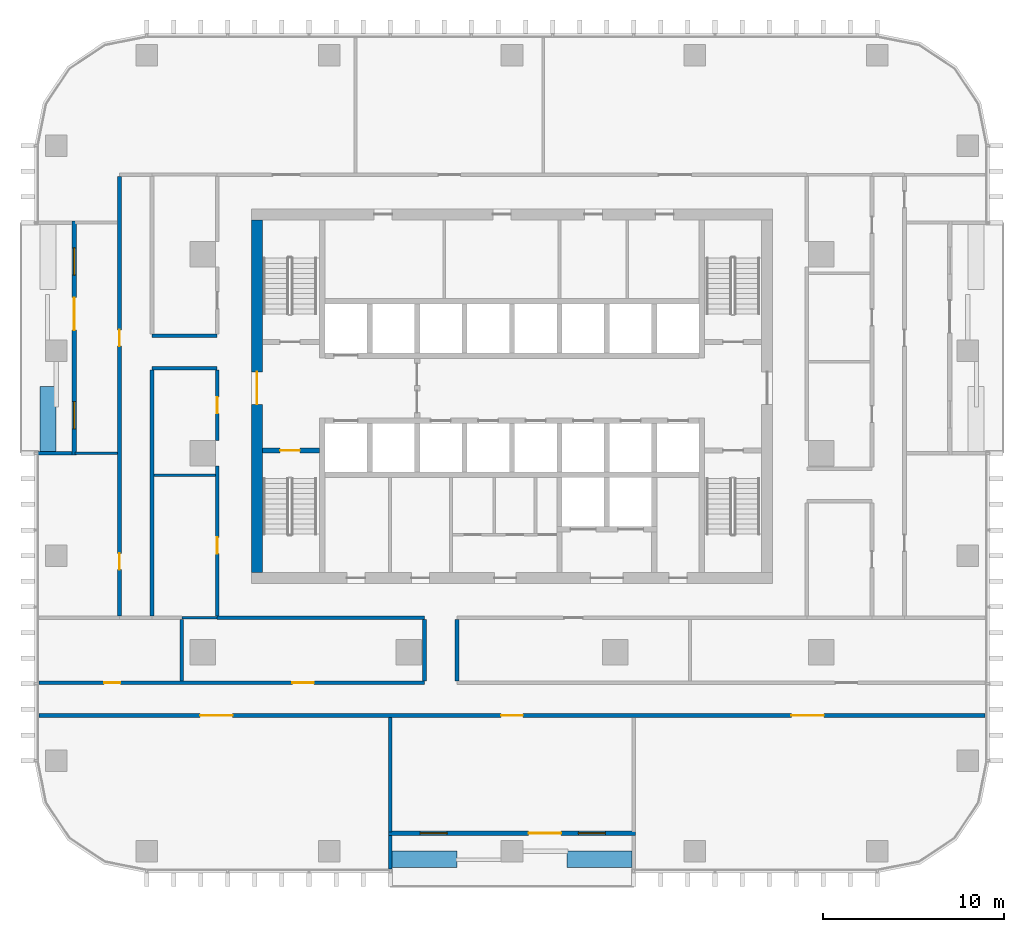
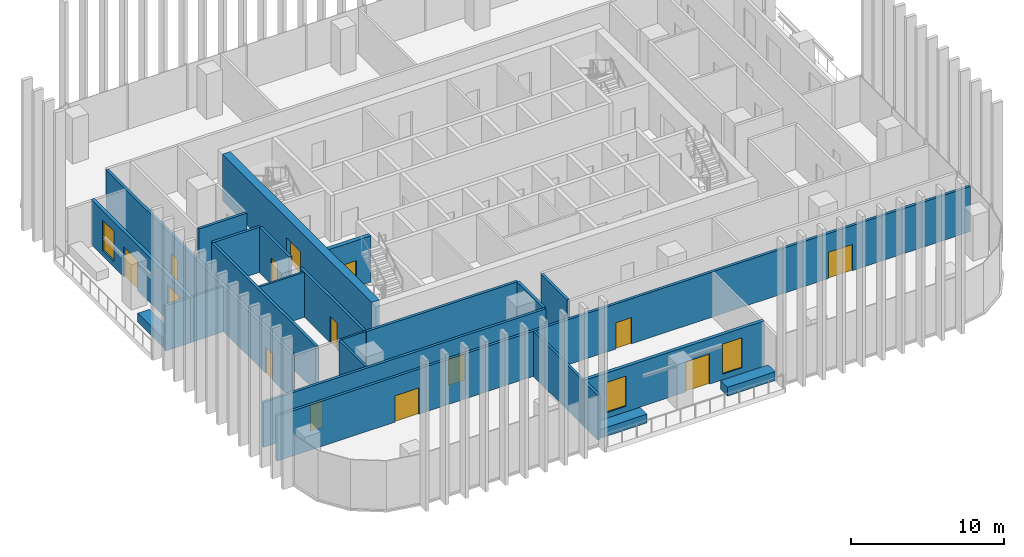
# One storey, part 7 of 15: 25 walls, 13 doors, 4 windows, 17 openings.
"""IFC4 building model written with IfcOpenShell, lengths in metres."""

from ifc_helpers import new_model, si_unit, direction, frame, frame_2d, origin, place, context, subcontext, project, spatial, rectangle, extrude, material, layer, layer_set, type_object, element, fill, save


model = new_model("IFC4")

# Units and contexts
model_context = context("Model", 3, precision=1e-05, world=origin(), true_north=direction((0.0, 1.0)))
body_context = subcontext(model_context, "Body", "Model", "MODEL_VIEW")
ifc_project = project(units=[si_unit("LENGTHUNIT", "METRE"), si_unit("AREAUNIT", "SQUARE_METRE"), si_unit("VOLUMEUNIT", "CUBIC_METRE"), si_unit("PLANEANGLEUNIT", "RADIAN"), si_unit("MASSUNIT", "GRAM", prefix="KILO")], contexts=[model_context])

# Site, building, storey
site_placement = place(None, origin())
site = spatial("IfcSite", under=ifc_project, at=site_placement, CompositionType="ELEMENT")
building_placement = place(site_placement, origin())
building = spatial("IfcBuilding", under=site, at=building_placement, Name="Mopane Tessera Tower", CompositionType="ELEMENT")
storey_placement = place(building_placement, frame((0.0, 0.0, 169.0)))
storey = spatial("IfcBuildingStorey", under=building, at=storey_placement, Name="L34", CompositionType="ELEMENT", Elevation=169.0)

# Wall, opening, door
ifc_material_1 = material(Name="Concrete C70/85", Category="concrete")
ifc_layer_1 = layer(ifc_material_1, 0.60009765625)
ifc_layer_set_1 = layer_set([ifc_layer_1], Name="Concrete C70/85")
wall_type_1 = type_object("IfcWallType", Name="Core shear wall 600 mm", PredefinedType="SHEAR", material=ifc_layer_set_1)
wall_1_placement = place(storey_placement, frame((-14.10009765625, -6.60009765625, 0.0), z_axis=(0.0, 0.0, 1.0), x_axis=(0.0, 1.0, 0.0)))
wall_1 = element("IfcWall", 1, at=wall_1_placement, inside=storey, type_object=wall_type_1, Name="L34 Core wall west", PredefinedType="SHEAR", context=body_context, shape_type="SweptSolid", body=[
    extrude(rectangle(XDim=19.5, YDim=0.60009765625, at=frame_2d((9.75, 0.0))), origin(), (0.0, 0.0, 1.0), 3.699951171875),
])
opening_1_placement = place(wall_1_placement, frame((9.300048828125, 0.0, 0.0)))
opening_1 = element("IfcOpeningElement", 2, at=opening_1_placement, cuts=wall_1, Name="Opening SD2", PredefinedType="OPENING", context=body_context, shape_type="SweptSolid", body=[
    extrude(rectangle(XDim=1.800048828125, YDim=2.10009765625, at=frame_2d((0.89990234375, 1.050048828125))), frame((0.0, 0.31201171875, 0.0), z_axis=(0.0, -1.0, 0.0), x_axis=(1.0, 0.0, 0.0)), (0.0, 0.0, 1.0), 0.6240234375),
])
ifc_material_2 = material(Name="Steel fire door", Category="steel")
door_type_1 = type_object("IfcDoorType", Name="Core entrance double door 1800 x 2100", OperationType="DOUBLE_DOOR_SINGLE_SWING", PredefinedType="DOOR", material=ifc_material_2)
door_1_placement = place(opening_1_placement, origin())
door_1 = element("IfcDoor", 3, at=door_1_placement, inside=storey, type_object=door_type_1, Name="L34 Core entrance door west", OperationType="DOUBLE_DOOR_SINGLE_SWING", OverallHeight=2.10009765625, OverallWidth=1.800048828125, PredefinedType="DOOR", context=body_context, shape_type="SweptSolid", body=[
    extrude(rectangle(XDim=1.800048828125, YDim=2.10009765625, at=frame_2d((0.89990234375, 1.050048828125))), frame((0.0, 0.02490234375, 0.0), z_axis=(0.0, -1.0, 0.0), x_axis=(1.0, 0.0, 0.0)), (0.0, 0.0, 1.0), 0.050048828125),
])
fill(opening_1, door_1)

# Walls
ifc_material_3 = material(Name="Gypsum board on staggered steel studs, double layer each face, acoustic mineral wool infill", Category="steel")
ifc_layer_2 = layer(ifc_material_3, 0.175048828125)
ifc_layer_set_2 = layer_set([ifc_layer_2], Name="Gypsum board on staggered steel studs, double layer each face, acoustic mineral wool infill")
wall_type_2 = type_object("IfcWallType", Name="Gypsum board acoustic partition 175, rated EI 60", PredefinedType="PARTITIONING", material=ifc_layer_set_2)
wall_2_placement = place(storey_placement, frame((-18.2548828125, -12.60009765625, 0.0), z_axis=(0.0, 0.0, 1.0), x_axis=(0.0, 1.0, 0.0)))
element("IfcWall", 4, at=wall_2_placement, inside=storey, type_object=wall_type_2, Name="Partition L34:032", PredefinedType="PARTITIONING", context=body_context, shape_type="SweptSolid", body=[
    extrude(rectangle(XDim=3.412109375, YDim=0.175048828125, at=frame_2d((1.7060546875, 0.0))), origin(), (0.0, 0.0, 1.0), 3.60009765625),
])
wall_3_placement = place(storey_placement, frame((-6.735107421875, -20.949951171875, 0.0), z_axis=(0.0, 0.0, 1.0), x_axis=(0.0, 1.0, 0.0)))
element("IfcWall", 5, at=wall_3_placement, inside=storey, type_object=wall_type_2, Name="Partition L34:038", PredefinedType="PARTITIONING", context=body_context, shape_type="SweptSolid", body=[
    extrude(rectangle(XDim=6.349853515625, YDim=0.175048828125, at=frame_2d((3.1748046875, 0.0))), origin(), (0.0, 0.0, 1.0), 3.60009765625),
])

# Wall, openings, doors
ifc_material_4 = material(Name="Gypsum board on steel studs, two layers each face, mineral wool infill", Category="steel")
ifc_layer_3 = layer(ifc_material_4, 0.199951171875)
ifc_layer_set_3 = layer_set([ifc_layer_3], Name="Gypsum board on steel studs, two layers each face, mineral wool infill")
wall_type_3 = type_object("IfcWallType", Name="Gypsum board corridor wall 200, rated EI 60", PredefinedType="PARTITIONING", material=ifc_layer_set_3)
wall_4_placement = place(storey_placement, frame((-26.14990234375, -14.5, 0.0), z_axis=(0.0, 0.0, 1.0), x_axis=(1.0, 0.0, 0.0)))
wall_4 = element("IfcWall", 6, at=wall_4_placement, inside=storey, type_object=wall_type_3, Name="Partition L34:000", PredefinedType="PARTITIONING", context=body_context, shape_type="SweptSolid", body=[
    extrude(rectangle(XDim=52.2998046875, YDim=0.199951171875, at=frame_2d((26.14990234375, 0.0))), origin(), (0.0, 0.0, 1.0), 3.60009765625),
])
opening_2_placement = place(wall_4_placement, frame((8.907470703125, 0.0, 0.0)))
opening_2 = element("IfcOpeningElement", 7, at=opening_2_placement, cuts=wall_4, Name="Opening L34-01", PredefinedType="OPENING", context=body_context, shape_type="SweptSolid", body=[
    extrude(rectangle(XDim=1.800048828125, YDim=2.10009765625, at=frame_2d((0.89990234375, 1.050048828125))), frame((0.0, 0.112060546875, 0.0), z_axis=(0.0, -1.0, 0.0), x_axis=(1.0, 0.0, 0.0)), (0.0, 0.0, 1.0), 0.223876953125),
])
opening_3_placement = place(wall_4_placement, frame((25.550048828125, 0.0, 0.0)))
opening_3 = element("IfcOpeningElement", 8, at=opening_3_placement, cuts=wall_4, Name="Opening L34-08", PredefinedType="OPENING", context=body_context, shape_type="SweptSolid", body=[
    extrude(rectangle(XDim=1.199951171875, YDim=2.10009765625, at=frame_2d((0.60009765625, 1.050048828125))), frame((0.0, 0.112060546875, 0.0), z_axis=(0.0, -1.0, 0.0), x_axis=(1.0, 0.0, 0.0)), (0.0, 0.0, 1.0), 0.223876953125),
])
opening_4_placement = place(wall_4_placement, frame((41.592529296875, 0.0, 0.0)))
opening_4 = element("IfcOpeningElement", 9, at=opening_4_placement, cuts=wall_4, Name="Opening L34-22", PredefinedType="OPENING", context=body_context, shape_type="SweptSolid", body=[
    extrude(rectangle(XDim=1.800048828125, YDim=2.10009765625, at=frame_2d((0.89990234375, 1.050048828125))), frame((0.0, 0.112060546875, 0.0), z_axis=(0.0, -1.0, 0.0), x_axis=(1.0, 0.0, 0.0)), (0.0, 0.0, 1.0), 0.223876953125),
])
ifc_material_5 = material(Name="Timber veneered steel-framed fire door", Category="steel")
door_type_2 = type_object("IfcDoorType", Name="Fire door FD60 1200 x 2100", OperationType="SINGLE_SWING_LEFT", PredefinedType="DOOR", material=ifc_material_5)
door_2_placement = place(opening_3_placement, origin())
door_2 = element("IfcDoor", 10, at=door_2_placement, inside=storey, type_object=door_type_2, Name="Door L34-08", ObjectType="D15A", OperationType="SINGLE_SWING_RIGHT", OverallHeight=2.10009765625, OverallWidth=1.199951171875, PredefinedType="DOOR", context=body_context, shape_type="SweptSolid", body=[
    extrude(rectangle(XDim=1.199951171875, YDim=2.10009765625, at=frame_2d((0.60009765625, 1.050048828125))), frame((0.0, 0.02490234375, 0.0), z_axis=(0.0, -1.0, 0.0), x_axis=(1.0, 0.0, 0.0)), (0.0, 0.0, 1.0), 0.050048828125),
])
fill(opening_3, door_2)
ifc_material_6 = material(Name="Timber veneered steel-framed fire door", Category="steel")
door_type_3 = type_object("IfcDoorType", Name="Fire door pair FD60 1800 x 2100", OperationType="DOUBLE_DOOR_SINGLE_SWING", PredefinedType="DOOR", material=ifc_material_6)
door_3_placement = place(opening_2_placement, origin())
door_3 = element("IfcDoor", 11, at=door_3_placement, inside=storey, type_object=door_type_3, Name="Door L34-01", ObjectType="D20A", OperationType="DOUBLE_DOOR_SINGLE_SWING", OverallHeight=2.10009765625, OverallWidth=1.800048828125, PredefinedType="DOOR", context=body_context, shape_type="SweptSolid", body=[
    extrude(rectangle(XDim=1.800048828125, YDim=2.10009765625, at=frame_2d((0.89990234375, 1.050048828125))), frame((0.0, 0.02490234375, 0.0), z_axis=(0.0, -1.0, 0.0), x_axis=(1.0, 0.0, 0.0)), (0.0, 0.0, 1.0), 0.050048828125),
])
fill(opening_2, door_3)
door_4_placement = place(opening_4_placement, origin())
door_4 = element("IfcDoor", 12, at=door_4_placement, inside=storey, type_object=door_type_3, Name="Door L34-22", ObjectType="D20A", OperationType="DOUBLE_DOOR_SINGLE_SWING", OverallHeight=2.10009765625, OverallWidth=1.800048828125, PredefinedType="DOOR", context=body_context, shape_type="SweptSolid", body=[
    extrude(rectangle(XDim=1.800048828125, YDim=2.10009765625, at=frame_2d((0.89990234375, 1.050048828125))), frame((0.0, 0.02490234375, 0.0), z_axis=(0.0, -1.0, 0.0), x_axis=(1.0, 0.0, 0.0)), (0.0, 0.0, 1.0), 0.050048828125),
])
fill(opening_4, door_4)

wall_5_placement = place(storey_placement, frame((-26.14990234375, -12.699951171875, 0.0), z_axis=(0.0, 0.0, 1.0), x_axis=(1.0, 0.0, 0.0)))
wall_5 = element("IfcWall", 13, at=wall_5_placement, inside=storey, type_object=wall_type_3, Name="Partition L34:001", PredefinedType="PARTITIONING", context=body_context, shape_type="SweptSolid", body=[
    extrude(rectangle(XDim=21.309814453125, YDim=0.199951171875, at=frame_2d((10.65478515625, 0.0))), origin(), (0.0, 0.0, 1.0), 3.60009765625),
])
opening_5_placement = place(wall_5_placement, frame((3.597412109375, 0.0, 0.0)))
opening_5 = element("IfcOpeningElement", 14, at=opening_5_placement, cuts=wall_5, Name="Opening L34-04", PredefinedType="OPENING", context=body_context, shape_type="SweptSolid", body=[
    extrude(rectangle(XDim=0.89990234375, YDim=2.10009765625, at=frame_2d((0.449951171875, 1.050048828125))), frame((0.0, 0.112060546875, 0.0), z_axis=(0.0, -1.0, 0.0), x_axis=(1.0, 0.0, 0.0)), (0.0, 0.0, 1.0), 0.223876953125),
])
opening_6_placement = place(wall_5_placement, frame((14.00244140625, 0.0, 0.0)))
opening_6 = element("IfcOpeningElement", 15, at=opening_6_placement, cuts=wall_5, Name="Opening L34-14", PredefinedType="OPENING", context=body_context, shape_type="SweptSolid", body=[
    extrude(rectangle(XDim=1.199951171875, YDim=2.10009765625, at=frame_2d((0.60009765625, 1.050048828125))), frame((0.0, 0.112060546875, 0.0), z_axis=(0.0, -1.0, 0.0), x_axis=(1.0, 0.0, 0.0)), (0.0, 0.0, 1.0), 0.223876953125),
])
door_5_placement = place(opening_6_placement, origin())
door_5 = element("IfcDoor", 16, at=door_5_placement, inside=storey, type_object=door_type_2, Name="Door L34-14", ObjectType="D15A", OperationType="SINGLE_SWING_LEFT", OverallHeight=2.10009765625, OverallWidth=1.199951171875, PredefinedType="DOOR", context=body_context, shape_type="SweptSolid", body=[
    extrude(rectangle(XDim=1.199951171875, YDim=2.10009765625, at=frame_2d((0.60009765625, 1.050048828125))), frame((0.0, 0.02490234375, 0.0), z_axis=(0.0, -1.0, 0.0), x_axis=(1.0, 0.0, 0.0)), (0.0, 0.0, 1.0), 0.050048828125),
])
fill(opening_6, door_5)
ifc_material_7 = material(Name="Timber veneered steel-framed fire door", Category="steel")
door_type_4 = type_object("IfcDoorType", Name="Fire door FD60 900 x 2100", OperationType="SINGLE_SWING_LEFT", PredefinedType="DOOR", material=ifc_material_7)
door_6_placement = place(opening_5_placement, origin())
door_6 = element("IfcDoor", 17, at=door_6_placement, inside=storey, type_object=door_type_4, Name="Door L34-04", ObjectType="D10A", OperationType="SINGLE_SWING_LEFT", OverallHeight=2.10009765625, OverallWidth=0.89990234375, PredefinedType="DOOR", context=body_context, shape_type="SweptSolid", body=[
    extrude(rectangle(XDim=0.89990234375, YDim=2.10009765625, at=frame_2d((0.449951171875, 1.050048828125))), frame((0.0, 0.02490234375, 0.0), z_axis=(0.0, -1.0, 0.0), x_axis=(1.0, 0.0, 0.0)), (0.0, 0.0, 1.0), 0.050048828125),
])
fill(opening_5, door_6)

# Walls
wall_6_placement = place(storey_placement, frame((-16.300048828125, -9.10009765625, 0.0), z_axis=(0.0, 0.0, 1.0), x_axis=(1.0, 0.0, 0.0)))
element("IfcWall", 18, at=wall_6_placement, inside=storey, type_object=wall_type_3, Name="Partition L34:009", PredefinedType="PARTITIONING", context=body_context, shape_type="SweptSolid", body=[
    extrude(rectangle(XDim=11.4599609375, YDim=0.199951171875, at=frame_2d((5.72998046875, 0.0))), origin(), (0.0, 0.0, 1.0), 3.60009765625),
])
for number, where, z_axis, x_axis, name in (
    (19, (-19.89990234375, 4.699951171875, 0.0), (0.0, 0.0, 1.0), (1.0, 0.0, 0.0), "Partition L34:017"),
    (20, (-19.89990234375, 6.5, 0.0), (0.0, 0.0, 1.0), (1.0, 0.0, 0.0), "Partition L34:019"),
):
    element("IfcWall", number, at=place(storey_placement, frame(where, z_axis=z_axis, x_axis=x_axis)), inside=storey, type_object=wall_type_3, Name=name, PredefinedType="PARTITIONING", context=body_context, shape_type="SweptSolid", body=[
        extrude(rectangle(XDim=3.599853515625, YDim=0.199951171875, at=frame_2d((1.7998046875, 0.0))), origin(), (0.0, 0.0, 1.0), 3.60009765625),
    ])

# Wall, openings, doors
wall_7_placement = place(storey_placement, frame((-21.699951171875, -9.0, 0.0), z_axis=(0.0, 0.0, 1.0), x_axis=(0.0, 1.0, 0.0)))
wall_7 = element("IfcWall", 21, at=wall_7_placement, inside=storey, type_object=wall_type_3, Name="Partition L34:029", PredefinedType="PARTITIONING", context=body_context, shape_type="SweptSolid", body=[
    extrude(rectangle(XDim=24.300048828125, YDim=0.199951171875, at=frame_2d((12.14990234375, 0.0))), origin(), (0.0, 0.0, 1.0), 3.60009765625),
])
opening_7_placement = place(wall_7_placement, frame((14.925048828125, 0.0, 0.0)))
opening_7 = element("IfcOpeningElement", 22, at=opening_7_placement, cuts=wall_7, Name="Opening L34-07", PredefinedType="OPENING", context=body_context, shape_type="SweptSolid", body=[
    extrude(rectangle(XDim=0.89990234375, YDim=2.10009765625, at=frame_2d((0.449951171875, 1.050048828125))), frame((0.0, 0.112060546875, 0.0), z_axis=(0.0, -1.0, 0.0), x_axis=(1.0, 0.0, 0.0)), (0.0, 0.0, 1.0), 0.223876953125),
])
opening_8_placement = place(wall_7_placement, frame((2.5625, 0.0, 0.0)))
opening_8 = element("IfcOpeningElement", 23, at=opening_8_placement, cuts=wall_7, Name="Opening L34-19", PredefinedType="OPENING", context=body_context, shape_type="SweptSolid", body=[
    extrude(rectangle(XDim=0.89990234375, YDim=2.10009765625, at=frame_2d((0.449951171875, 1.050048828125))), frame((0.0, 0.112060546875, 0.0), z_axis=(0.0, -1.0, 0.0), x_axis=(1.0, 0.0, 0.0)), (0.0, 0.0, 1.0), 0.223876953125),
])
door_7_placement = place(opening_7_placement, origin())
door_7 = element("IfcDoor", 24, at=door_7_placement, inside=storey, type_object=door_type_4, Name="Door L34-07", ObjectType="D10A", OperationType="SINGLE_SWING_RIGHT", OverallHeight=2.10009765625, OverallWidth=0.89990234375, PredefinedType="DOOR", context=body_context, shape_type="SweptSolid", body=[
    extrude(rectangle(XDim=0.89990234375, YDim=2.10009765625, at=frame_2d((0.449951171875, 1.050048828125))), frame((0.0, 0.02490234375, 0.0), z_axis=(0.0, -1.0, 0.0), x_axis=(1.0, 0.0, 0.0)), (0.0, 0.0, 1.0), 0.050048828125),
])
fill(opening_7, door_7)
door_8_placement = place(opening_8_placement, origin())
door_8 = element("IfcDoor", 25, at=door_8_placement, inside=storey, type_object=door_type_4, Name="Door L34-19", ObjectType="D10A", OperationType="SINGLE_SWING_RIGHT", OverallHeight=2.10009765625, OverallWidth=0.89990234375, PredefinedType="DOOR", context=body_context, shape_type="SweptSolid", body=[
    extrude(rectangle(XDim=0.89990234375, YDim=2.10009765625, at=frame_2d((0.449951171875, 1.050048828125))), frame((0.0, 0.02490234375, 0.0), z_axis=(0.0, -1.0, 0.0), x_axis=(1.0, 0.0, 0.0)), (0.0, 0.0, 1.0), 0.050048828125),
])
fill(opening_8, door_8)

# Wall
wall_8_placement = place(storey_placement, frame((-19.89990234375, -9.0, 0.0), z_axis=(0.0, 0.0, 1.0), x_axis=(0.0, 1.0, 0.0)))
element("IfcWall", 26, at=wall_8_placement, inside=storey, type_object=wall_type_3, Name="Partition L34:030", PredefinedType="PARTITIONING", context=body_context, shape_type="SweptSolid", body=[
    extrude(rectangle(XDim=13.60009765625, YDim=0.199951171875, at=frame_2d((6.800048828125, 0.0))), origin(), (0.0, 0.0, 1.0), 3.60009765625),
])

# Wall, opening, door
wall_9_placement = place(storey_placement, frame((-16.300048828125, -9.0, 0.0), z_axis=(0.0, 0.0, 1.0), x_axis=(0.0, 1.0, 0.0)))
wall_9 = element("IfcWall", 27, at=wall_9_placement, inside=storey, type_object=wall_type_3, Name="Partition L34:033", PredefinedType="PARTITIONING", context=body_context, shape_type="SweptSolid", body=[
    extrude(rectangle(XDim=8.300048828125, YDim=0.199951171875, at=frame_2d((4.14990234375, 0.0))), origin(), (0.0, 0.0, 1.0), 3.60009765625),
])
opening_9_placement = place(wall_9_placement, frame((3.4423828125, 0.0, 0.0)))
opening_9 = element("IfcOpeningElement", 28, at=opening_9_placement, cuts=wall_9, Name="Opening L34-10", PredefinedType="OPENING", context=body_context, shape_type="SweptSolid", body=[
    extrude(rectangle(XDim=0.89990234375, YDim=2.10009765625, at=frame_2d((0.449951171875, 1.050048828125))), frame((0.0, 0.112060546875, 0.0), z_axis=(0.0, -1.0, 0.0), x_axis=(1.0, 0.0, 0.0)), (0.0, 0.0, 1.0), 0.223876953125),
])
door_9_placement = place(opening_9_placement, origin())
door_9 = element("IfcDoor", 29, at=door_9_placement, inside=storey, type_object=door_type_4, Name="Door L34-10", ObjectType="D10A", OperationType="SINGLE_SWING_LEFT", OverallHeight=2.10009765625, OverallWidth=0.89990234375, PredefinedType="DOOR", context=body_context, shape_type="SweptSolid", body=[
    extrude(rectangle(XDim=0.89990234375, YDim=2.10009765625, at=frame_2d((0.449951171875, 1.050048828125))), frame((0.0, 0.02490234375, 0.0), z_axis=(0.0, -1.0, 0.0), x_axis=(1.0, 0.0, 0.0)), (0.0, 0.0, 1.0), 0.050048828125),
])
fill(opening_9, door_9)

wall_10_placement = place(storey_placement, frame((-16.300048828125, 0.699951171875, 0.0), z_axis=(0.0, 0.0, 1.0), x_axis=(0.0, 1.0, 0.0)))
wall_10 = element("IfcWall", 30, at=wall_10_placement, inside=storey, type_object=wall_type_3, Name="Partition L34:034", PredefinedType="PARTITIONING", context=body_context, shape_type="SweptSolid", body=[
    extrude(rectangle(XDim=3.900146484375, YDim=0.199951171875, at=frame_2d((1.9501953125, 0.0))), origin(), (0.0, 0.0, 1.0), 3.60009765625),
])
opening_10_placement = place(wall_10_placement, frame((1.5, 0.0, 0.0)))
opening_10 = element("IfcOpeningElement", 31, at=opening_10_placement, cuts=wall_10, Name="Opening L34-16", PredefinedType="OPENING", context=body_context, shape_type="SweptSolid", body=[
    extrude(rectangle(XDim=0.89990234375, YDim=2.10009765625, at=frame_2d((0.449951171875, 1.050048828125))), frame((0.0, 0.112060546875, 0.0), z_axis=(0.0, -1.0, 0.0), x_axis=(1.0, 0.0, 0.0)), (0.0, 0.0, 1.0), 0.223876953125),
])
door_10_placement = place(opening_10_placement, origin())
door_10 = element("IfcDoor", 32, at=door_10_placement, inside=storey, type_object=door_type_4, Name="Door L34-16", ObjectType="D10A", OperationType="SINGLE_SWING_LEFT", OverallHeight=2.10009765625, OverallWidth=0.89990234375, PredefinedType="DOOR", context=body_context, shape_type="SweptSolid", body=[
    extrude(rectangle(XDim=0.89990234375, YDim=2.10009765625, at=frame_2d((0.449951171875, 1.050048828125))), frame((0.0, 0.02490234375, 0.0), z_axis=(0.0, -1.0, 0.0), x_axis=(1.0, 0.0, 0.0)), (0.0, 0.0, 1.0), 0.050048828125),
])
fill(opening_10, door_10)

# Walls
for number, where, z_axis, x_axis, name in (
    (33, (-4.840087890625, -12.60009765625, 0.0), (0.0, 0.0, 1.0), (0.0, 1.0, 0.0), "Partition L34:039"),
    (34, (-3.0400390625, -12.60009765625, 0.0), (0.0, 0.0, 1.0), (0.0, 1.0, 0.0), "Partition L34:040"),
):
    element("IfcWall", number, at=place(storey_placement, frame(where, z_axis=z_axis, x_axis=x_axis)), inside=storey, type_object=wall_type_3, Name=name, PredefinedType="PARTITIONING", context=body_context, shape_type="SweptSolid", body=[
        extrude(rectangle(XDim=3.400146484375, YDim=0.199951171875, at=frame_2d((1.7001953125, 0.0))), origin(), (0.0, 0.0, 1.0), 3.60009765625),
    ])
ifc_material_8 = material(Name="Gypsum board on steel studs, mineral wool infill", Category="steel")
ifc_layer_4 = layer(ifc_material_8, 0.14990234375)
ifc_layer_set_4 = layer_set([ifc_layer_4], Name="Gypsum board on steel studs, mineral wool infill")
wall_type_4 = type_object("IfcWallType", Name="Gypsum board partition 150, rated EI 60", PredefinedType="PARTITIONING", material=ifc_layer_set_4)
wall_11_placement = place(storey_placement, frame((-18.2548828125, -9.10009765625, 0.0), z_axis=(0.0, 0.0, 1.0), x_axis=(1.0, 0.0, 0.0)))
element("IfcWall", 35, at=wall_11_placement, inside=storey, type_object=wall_type_4, Name="Partition L34:003", PredefinedType="PARTITIONING", context=body_context, shape_type="SweptSolid", body=[
    extrude(rectangle(XDim=1.954833984375, YDim=0.14990234375, at=frame_2d((0.9775390625, 0.0))), origin(), (0.0, 0.0, 1.0), 3.60009765625),
])
wall_12_placement = place(storey_placement, frame((-19.800048828125, -1.215087890625, 0.0), z_axis=(0.0, 0.0, 1.0), x_axis=(1.0, 0.0, 0.0)))
element("IfcWall", 36, at=wall_12_placement, inside=storey, type_object=wall_type_4, Name="Partition L34:013", PredefinedType="PARTITIONING", context=body_context, shape_type="SweptSolid", body=[
    extrude(rectangle(XDim=3.400146484375, YDim=0.14990234375, at=frame_2d((1.7001953125, 0.0))), origin(), (0.0, 0.0, 1.0), 3.60009765625),
])
wall_13_placement = place(storey_placement, frame((-24.14990234375, 0.0, 0.0), z_axis=(0.0, 0.0, 1.0), x_axis=(1.0, 0.0, 0.0)))
element("IfcWall", 37, at=wall_13_placement, inside=storey, type_object=wall_type_4, Name="Partition L34:015", PredefinedType="PARTITIONING", context=body_context, shape_type="SweptSolid", body=[
    extrude(rectangle(XDim=2.349853515625, YDim=0.14990234375, at=frame_2d((1.1748046875, 0.0))), origin(), (0.0, 0.0, 1.0), 3.60009765625),
])

# Wall, opening, door
ifc_material_9 = material(Name="Concrete C50/60", Category="concrete")
ifc_layer_5 = layer(ifc_material_9, 0.300048828125)
ifc_layer_set_5 = layer_set([ifc_layer_5], Name="Concrete C50/60")
wall_type_5 = type_object("IfcWallType", Name="Lift and stair shaft wall 300 mm", PredefinedType="SOLIDWALL", material=ifc_layer_set_5)
wall_14_placement = place(storey_placement, frame((-13.800048828125, 0.14990234375, 0.0), z_axis=(0.0, 0.0, 1.0), x_axis=(1.0, 0.0, 0.0)))
wall_14 = element("IfcWall", 38, at=wall_14_placement, inside=storey, type_object=wall_type_5, Name="L34 Stair enclosure wall", PredefinedType="SOLIDWALL", context=body_context, shape_type="SweptSolid", body=[
    extrude(rectangle(XDim=3.150146484375, YDim=0.300048828125, at=frame_2d((1.5751953125, 0.0))), origin(), (0.0, 0.0, 1.0), 3.699951171875),
])
opening_11_placement = place(wall_14_placement, frame((0.97509765625, 0.0, 0.0)))
opening_11 = element("IfcOpeningElement", 39, at=opening_11_placement, cuts=wall_14, Name="Opening SD1", PredefinedType="OPENING", context=body_context, shape_type="SweptSolid", body=[
    extrude(rectangle(XDim=1.10009765625, YDim=2.10009765625, at=frame_2d((0.550048828125, 1.050048828125))), frame((0.0, 0.162109375, 0.0), z_axis=(0.0, -1.0, 0.0), x_axis=(1.0, 0.0, 0.0)), (0.0, 0.0, 1.0), 0.323974609375),
])
ifc_material_10 = material(Name="Steel fire door", Category="steel")
door_type_5 = type_object("IfcDoorType", Name="Stair fire door 1100 x 2100", OperationType="SINGLE_SWING_LEFT", PredefinedType="DOOR", material=ifc_material_10)
door_11_placement = place(opening_11_placement, origin())
door_11 = element("IfcDoor", 40, at=door_11_placement, inside=storey, type_object=door_type_5, Name="L34 Stair door ST1", OperationType="SINGLE_SWING_LEFT", OverallHeight=2.10009765625, OverallWidth=1.10009765625, PredefinedType="DOOR", context=body_context, shape_type="SweptSolid", body=[
    extrude(rectangle(XDim=1.10009765625, YDim=2.10009765625, at=frame_2d((0.550048828125, 1.050048828125))), frame((0.0, 0.02490234375, 0.0), z_axis=(0.0, -1.0, 0.0), x_axis=(1.0, 0.0, 0.0)), (0.0, 0.0, 1.0), 0.050048828125),
])
fill(opening_11, door_11)

# Walls
ifc_material_11 = material(Name="Reinforced concrete C32/40 with waterproofing", Category="concrete")
ifc_layer_6 = layer(ifc_material_11, 0.89990234375)
ifc_layer_set_6 = layer_set([ifc_layer_6], Name="Reinforced concrete C32/40 with waterproofing")
wall_type_6 = type_object("IfcWallType", Name="Planter trough 3600 x 900", PredefinedType="STANDARD", material=ifc_layer_set_6)
for number, where, z_axis, x_axis, name in (
    (41, (-25.64990234375, 3.699951171875, 0.0), (0.0, 0.0, 1.0), (0.0, -1.0, 0.0), "e:nw:L34:N1:pl1"),
    (42, (-6.63330078125, -22.449951171875, 0.0), (0.0, 0.0, 1.0), (1.0, 0.0, 0.0), "e:nw:L34:N2:pl0"),
    (43, (3.033447265625, -22.449951171875, 0.0), (0.0, 0.0, 1.0), (1.0, 0.0, 0.0), "e:nw:L34:N2:pl1"),
):
    element("IfcWall", number, at=place(storey_placement, frame(where, z_axis=z_axis, x_axis=x_axis)), inside=storey, type_object=wall_type_6, Name=name, PredefinedType="STANDARD", context=body_context, shape_type="SweptSolid", body=[
        extrude(rectangle(XDim=3.599853515625, YDim=0.89990234375, at=frame_2d((1.7998046875, 0.0))), origin(), (0.0, 0.0, 1.0), 0.699951171875),
    ])
ifc_material_12 = material(Name="Blockwork with glazed tile facing", Category="masonry")
ifc_layer_7 = layer(ifc_material_12, 0.199951171875)
ifc_layer_set_7 = layer_set([ifc_layer_7], Name="Blockwork with glazed tile facing")
wall_type_7 = type_object("IfcWallType", Name="Terrace cheek wall 200", PredefinedType="STANDARD", material=ifc_layer_set_7)
for number, where, z_axis, x_axis, name in (
    (44, (-26.199951171875, 0.0, 0.0), (0.0, 0.0, 1.0), (1.0, 0.0, 0.0), "e:nw:L34:N1:cheekb"),
    (45, (-6.7333984375, -23.0, 0.0), (0.0, 0.0, 1.0), (0.0, 1.0, 0.0), "e:nw:L34:N2:cheeka"),
):
    element("IfcWall", number, at=place(storey_placement, frame(where, z_axis=z_axis, x_axis=x_axis)), inside=storey, type_object=wall_type_7, Name=name, PredefinedType="STANDARD", context=body_context, shape_type="SweptSolid", body=[
        extrude(rectangle(XDim=1.875, YDim=0.199951171875, at=frame_2d((0.9375, 0.0))), origin(), (0.0, 0.0, 1.0), 3.60009765625),
    ])

# Wall, openings, windows, door
ifc_material_13 = material(Name="Blockwork with ochre glazed tile facing", Category="masonry")
ifc_layer_8 = layer(ifc_material_13, 0.25)
ifc_layer_set_8 = layer_set([ifc_layer_8], Name="Blockwork with ochre glazed tile facing")
wall_type_8 = type_object("IfcWallType", Name="Tile-clad external wall 250, ochre", PredefinedType="STANDARD", material=ifc_layer_set_8)
wall_15_placement = place(storey_placement, frame((-24.199951171875, 12.85009765625, 0.0), z_axis=(0.0, 0.0, 1.0), x_axis=(0.0, -1.0, 0.0)))
wall_15 = element("IfcWall", 46, at=wall_15_placement, inside=storey, type_object=wall_type_8, Name="e:nw:L34:N1:back", PredefinedType="STANDARD", context=body_context, shape_type="SweptSolid", body=[
    extrude(rectangle(XDim=12.9501953125, YDim=0.25, at=frame_2d((6.47509765625, 0.0))), origin(), (0.0, 0.0, 1.0), 3.60009765625),
])
opening_12_placement = place(wall_15_placement, frame((1.5, 0.0, 0.449951171875)))
opening_12 = element("IfcOpeningElement", 47, at=opening_12_placement, cuts=wall_15, Name="Opening NW341A", PredefinedType="OPENING", context=body_context, shape_type="SweptSolid", body=[
    extrude(rectangle(XDim=1.5, YDim=2.39990234375, at=frame_2d((0.75, 1.199951171875))), frame((0.0, 0.136962890625, 0.0), z_axis=(0.0, -1.0, 0.0), x_axis=(1.0, 0.0, 0.0)), (0.0, 0.0, 1.0), 0.27392578125),
])
opening_13_placement = place(wall_15_placement, frame((4.25, 0.0, 0.0)))
opening_13 = element("IfcOpeningElement", 48, at=opening_13_placement, cuts=wall_15, Name="Opening ND341", PredefinedType="OPENING", context=body_context, shape_type="SweptSolid", body=[
    extrude(rectangle(XDim=1.800048828125, YDim=2.39990234375, at=frame_2d((0.89990234375, 1.199951171875))), frame((0.0, 0.136962890625, 0.0), z_axis=(0.0, -1.0, 0.0), x_axis=(1.0, 0.0, 0.0)), (0.0, 0.0, 1.0), 0.27392578125),
])
opening_14_placement = place(wall_15_placement, frame((10.0, 0.0, 0.449951171875)))
opening_14 = element("IfcOpeningElement", 49, at=opening_14_placement, cuts=wall_15, Name="Opening NW341B", PredefinedType="OPENING", context=body_context, shape_type="SweptSolid", body=[
    extrude(rectangle(XDim=1.5, YDim=2.39990234375, at=frame_2d((0.75, 1.199951171875))), frame((0.0, 0.136962890625, 0.0), z_axis=(0.0, -1.0, 0.0), x_axis=(1.0, 0.0, 0.0)), (0.0, 0.0, 1.0), 0.27392578125),
])
ifc_material_14 = material(Name="Clear laminated glass", Category="glass")
window_type = type_object("IfcWindowType", Name="Fixed window 1500 x 2400", PartitioningType="SINGLE_PANEL", PredefinedType="WINDOW", material=ifc_material_14)
window_1_placement = place(opening_12_placement, origin())
window_1 = element("IfcWindow", 50, at=window_1_placement, inside=storey, type_object=window_type, Name="e:nw:L34:N1:win0", OverallHeight=2.39990234375, OverallWidth=1.5, PartitioningType="SINGLE_PANEL", PredefinedType="WINDOW", context=body_context, shape_type="SweptSolid", body=[
    extrude(rectangle(XDim=1.5, YDim=2.39990234375, at=frame_2d((0.75, 1.199951171875))), frame((0.0, 0.030029296875, 0.0), z_axis=(0.0, -1.0, 0.0), x_axis=(1.0, 0.0, 0.0)), (0.0, 0.0, 1.0), 0.06005859375),
])
fill(opening_12, window_1)
window_2_placement = place(opening_14_placement, origin())
window_2 = element("IfcWindow", 51, at=window_2_placement, inside=storey, type_object=window_type, Name="e:nw:L34:N1:win2", OverallHeight=2.39990234375, OverallWidth=1.5, PartitioningType="SINGLE_PANEL", PredefinedType="WINDOW", context=body_context, shape_type="SweptSolid", body=[
    extrude(rectangle(XDim=1.5, YDim=2.39990234375, at=frame_2d((0.75, 1.199951171875))), frame((0.0, 0.030029296875, 0.0), z_axis=(0.0, -1.0, 0.0), x_axis=(1.0, 0.0, 0.0)), (0.0, 0.0, 1.0), 0.06005859375),
])
fill(opening_14, window_2)
ifc_material_15 = material(Name="Aluminium and clear glass", Category="aluminium")
door_type_6 = type_object("IfcDoorType", Name="Terrace double door 1800 x 2400", OperationType="DOUBLE_DOOR_SINGLE_SWING", PredefinedType="DOOR", material=ifc_material_15)
door_12_placement = place(opening_13_placement, origin())
door_12 = element("IfcDoor", 52, at=door_12_placement, inside=storey, type_object=door_type_6, Name="e:nw:L34:N1:door", ObjectType="D1", OperationType="DOUBLE_DOOR_SINGLE_SWING", OverallHeight=2.39990234375, OverallWidth=1.800048828125, PredefinedType="DOOR", context=body_context, shape_type="SweptSolid", body=[
    extrude(rectangle(XDim=1.800048828125, YDim=2.39990234375, at=frame_2d((0.89990234375, 1.199951171875))), frame((0.0, 0.02490234375, 0.0), z_axis=(0.0, -1.0, 0.0), x_axis=(1.0, 0.0, 0.0)), (0.0, 0.0, 1.0), 0.050048828125),
])
fill(opening_13, door_12)

wall_16_placement = place(storey_placement, frame((-6.833251953125, -21.0, 0.0), z_axis=(0.0, 0.0, 1.0), x_axis=(1.0, 0.0, 0.0)))
wall_16 = element("IfcWall", 53, at=wall_16_placement, inside=storey, type_object=wall_type_8, Name="e:nw:L34:N2:back", PredefinedType="STANDARD", context=body_context, shape_type="SweptSolid", body=[
    extrude(rectangle(XDim=13.66650390625, YDim=0.25, at=frame_2d((6.833251953125, 0.0))), origin(), (0.0, 0.0, 1.0), 3.60009765625),
])
opening_15_placement = place(wall_16_placement, frame((1.75, 0.0, 0.449951171875)))
opening_15 = element("IfcOpeningElement", 54, at=opening_15_placement, cuts=wall_16, Name="Opening NW342A", PredefinedType="OPENING", context=body_context, shape_type="SweptSolid", body=[
    extrude(rectangle(XDim=1.5, YDim=2.39990234375, at=frame_2d((0.75, 1.199951171875))), frame((0.0, 0.136962890625, 0.0), z_axis=(0.0, -1.0, 0.0), x_axis=(1.0, 0.0, 0.0)), (0.0, 0.0, 1.0), 0.27392578125),
])
opening_16_placement = place(wall_16_placement, frame((7.75, 0.0, 0.0)))
opening_16 = element("IfcOpeningElement", 55, at=opening_16_placement, cuts=wall_16, Name="Opening ND342", PredefinedType="OPENING", context=body_context, shape_type="SweptSolid", body=[
    extrude(rectangle(XDim=1.800048828125, YDim=2.39990234375, at=frame_2d((0.89990234375, 1.199951171875))), frame((0.0, 0.136962890625, 0.0), z_axis=(0.0, -1.0, 0.0), x_axis=(1.0, 0.0, 0.0)), (0.0, 0.0, 1.0), 0.27392578125),
])
opening_17_placement = place(wall_16_placement, frame((10.5, 0.0, 0.449951171875)))
opening_17 = element("IfcOpeningElement", 56, at=opening_17_placement, cuts=wall_16, Name="Opening NW342B", PredefinedType="OPENING", context=body_context, shape_type="SweptSolid", body=[
    extrude(rectangle(XDim=1.5, YDim=2.39990234375, at=frame_2d((0.75, 1.199951171875))), frame((0.0, 0.136962890625, 0.0), z_axis=(0.0, -1.0, 0.0), x_axis=(1.0, 0.0, 0.0)), (0.0, 0.0, 1.0), 0.27392578125),
])
window_3_placement = place(opening_15_placement, origin())
window_3 = element("IfcWindow", 57, at=window_3_placement, inside=storey, type_object=window_type, Name="e:nw:L34:N2:win0", OverallHeight=2.39990234375, OverallWidth=1.5, PartitioningType="SINGLE_PANEL", PredefinedType="WINDOW", context=body_context, shape_type="SweptSolid", body=[
    extrude(rectangle(XDim=1.5, YDim=2.39990234375, at=frame_2d((0.75, 1.199951171875))), frame((0.0, 0.030029296875, 0.0), z_axis=(0.0, -1.0, 0.0), x_axis=(1.0, 0.0, 0.0)), (0.0, 0.0, 1.0), 0.06005859375),
])
fill(opening_15, window_3)
window_4_placement = place(opening_17_placement, origin())
window_4 = element("IfcWindow", 58, at=window_4_placement, inside=storey, type_object=window_type, Name="e:nw:L34:N2:win2", OverallHeight=2.39990234375, OverallWidth=1.5, PartitioningType="SINGLE_PANEL", PredefinedType="WINDOW", context=body_context, shape_type="SweptSolid", body=[
    extrude(rectangle(XDim=1.5, YDim=2.39990234375, at=frame_2d((0.75, 1.199951171875))), frame((0.0, 0.030029296875, 0.0), z_axis=(0.0, -1.0, 0.0), x_axis=(1.0, 0.0, 0.0)), (0.0, 0.0, 1.0), 0.06005859375),
])
fill(opening_17, window_4)
door_13_placement = place(opening_16_placement, origin())
door_13 = element("IfcDoor", 59, at=door_13_placement, inside=storey, type_object=door_type_6, Name="e:nw:L34:N2:door", ObjectType="D1", OperationType="DOUBLE_DOOR_SINGLE_SWING", OverallHeight=2.39990234375, OverallWidth=1.800048828125, PredefinedType="DOOR", context=body_context, shape_type="SweptSolid", body=[
    extrude(rectangle(XDim=1.800048828125, YDim=2.39990234375, at=frame_2d((0.89990234375, 1.199951171875))), frame((0.0, 0.02490234375, 0.0), z_axis=(0.0, -1.0, 0.0), x_axis=(1.0, 0.0, 0.0)), (0.0, 0.0, 1.0), 0.050048828125),
])
fill(opening_16, door_13)

save(model, "model.ifc")
